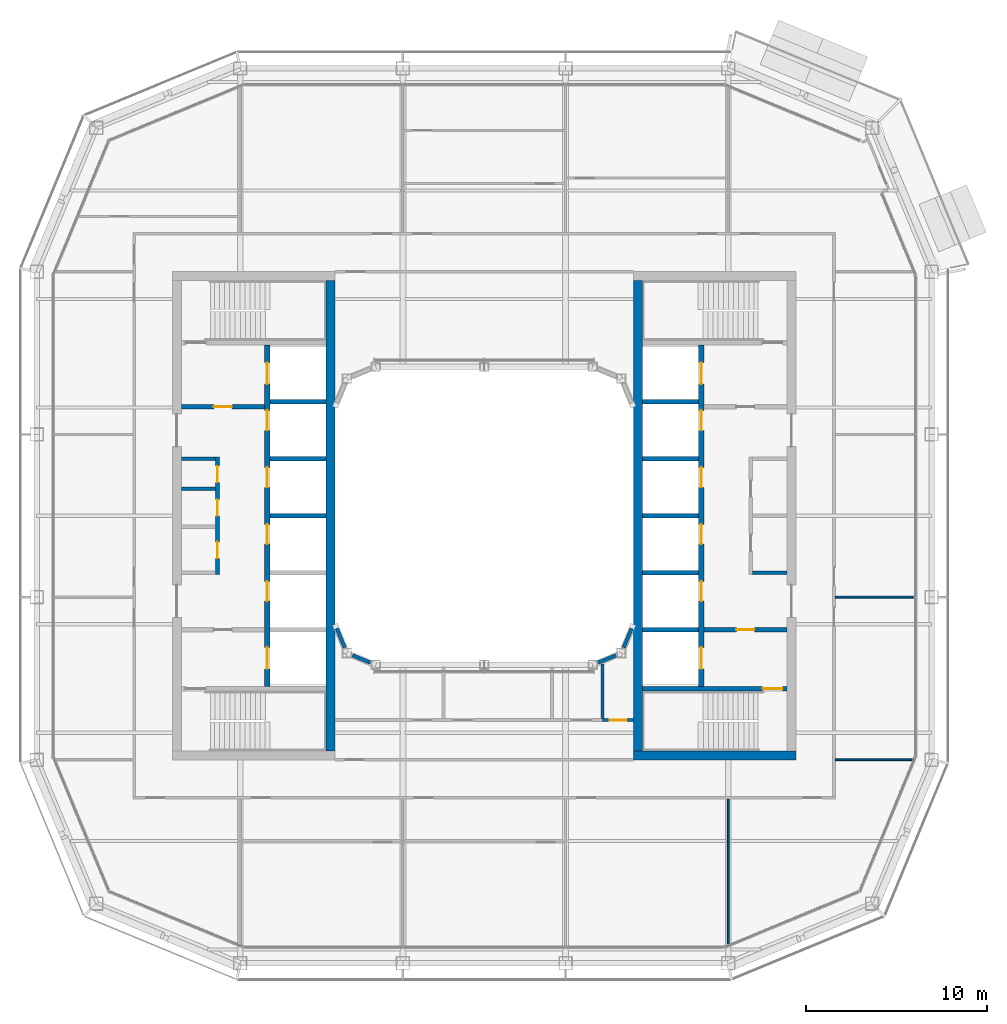
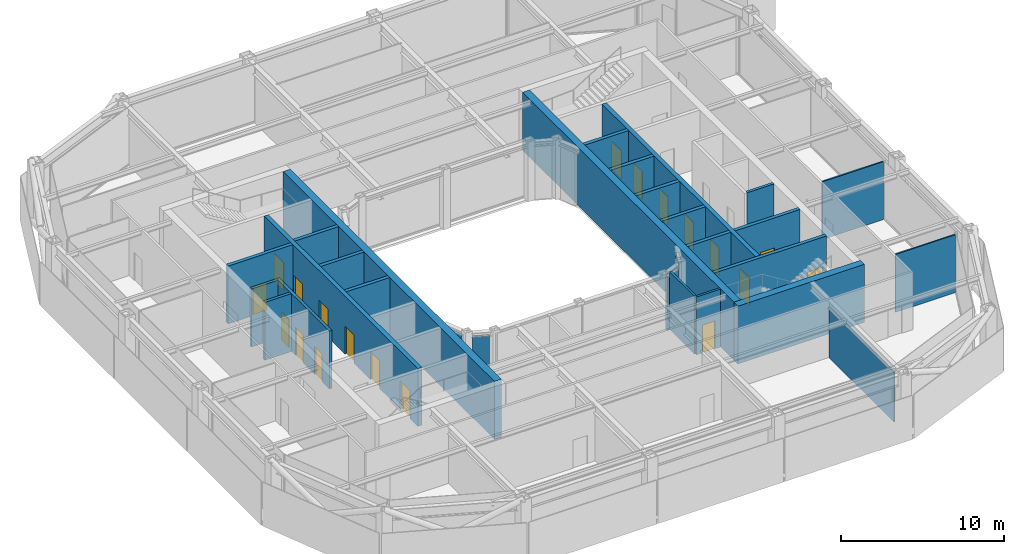
# One storey, part 11 of 20: 29 walls, 19 doors, 19 openings.
"""IFC4 building model written with IfcOpenShell, lengths in metres."""

from ifc_helpers import new_model, si_unit, direction, frame, frame_2d, origin, place, context, subcontext, project, spatial, rectangle, extrude, material, layer, layer_set, type_object, element, fill, save


model = new_model("IFC4")

# Units and contexts
model_context = context("Model", 3, precision=1e-05, world=origin(), true_north=direction((0.0, 1.0)))
body_context = subcontext(model_context, "Body", "Model", "MODEL_VIEW")
ifc_project = project(units=[si_unit("LENGTHUNIT", "METRE"), si_unit("AREAUNIT", "SQUARE_METRE"), si_unit("VOLUMEUNIT", "CUBIC_METRE"), si_unit("PLANEANGLEUNIT", "RADIAN"), si_unit("MASSUNIT", "GRAM", prefix="KILO")], contexts=[model_context])

# Site, building, storey
site_placement = place(None, origin())
site = spatial("IfcSite", under=ifc_project, at=site_placement, CompositionType="ELEMENT")
building_placement = place(site_placement, origin())
building = spatial("IfcBuilding", under=site, at=building_placement, Name="Siwar Civic Tower", CompositionType="ELEMENT")
storey_placement = place(building_placement, frame((0.0, 0.0, 307.699951171875)))
storey = spatial("IfcBuildingStorey", under=building, at=storey_placement, Name="L66", CompositionType="ELEMENT", Elevation=307.699951171875)

# Wall, opening, door
ifc_material_1 = material(Name="Gypsum board on steel studs", Category="steel")
ifc_layer_1 = layer(ifc_material_1, 0.14990234375)
ifc_layer_set_1 = layer_set([ifc_layer_1], Name="Gypsum board on steel studs")
wall_type_1 = type_object("IfcWallType", Name="COMPARTMENT PARTITION 150 EI 60", PredefinedType="PARTITIONING", material=ifc_layer_set_1)
wall_1_placement = place(storey_placement, frame((6.5400390625, -11.300048828125, 0.0), z_axis=(0.0, 0.0, 1.0), x_axis=(1.0, 0.0, 0.0)))
wall_1 = element("IfcWall", 1, at=wall_1_placement, inside=storey, type_object=wall_type_1, Name="L66/wall/P07", PredefinedType="PARTITIONING", context=body_context, shape_type="SweptSolid", body=[
    extrude(rectangle(XDim=1.7099609375, YDim=0.14990234375, at=frame_2d((0.85498046875, 0.0))), origin(), (0.0, 0.0, 1.0), 4.35009765625),
])
opening_1_placement = place(wall_1_placement, frame((0.409912109375, 0.0, 0.0)))
opening_1 = element("IfcOpeningElement", 2, at=opening_1_placement, cuts=wall_1, Name="Opening D4", PredefinedType="OPENING", context=body_context, shape_type="SweptSolid", body=[
    extrude(rectangle(XDim=0.89990234375, YDim=2.10009765625, at=frame_2d((0.449951171875, 1.050048828125))), frame((0.0, 0.0849609375, 0.0), z_axis=(0.0, -1.0, 0.0), x_axis=(1.0, 0.0, 0.0)), (0.0, 0.0, 1.0), 0.169921875),
])
ifc_material_2 = material(Name="Timber, painted", Category="wood")
door_type_1 = type_object("IfcDoorType", Name="DOOR 900 X 2100 FD60", OperationType="SINGLE_SWING_LEFT", PredefinedType="DOOR", material=ifc_material_2)
door_1_placement = place(opening_1_placement, origin())
door_1 = element("IfcDoor", 3, at=door_1_placement, inside=storey, type_object=door_type_1, Name="L66-D28", OperationType="SINGLE_SWING_RIGHT", OverallHeight=2.10009765625, OverallWidth=0.89990234375, PredefinedType="DOOR", context=body_context, shape_type="SweptSolid", body=[
    extrude(rectangle(XDim=0.89990234375, YDim=2.10009765625, at=frame_2d((0.449951171875, 1.050048828125))), frame((0.0, 0.02490234375, 0.0), z_axis=(0.0, -1.0, 0.0), x_axis=(1.0, 0.0, 0.0)), (0.0, 0.0, 1.0), 0.050048828125),
])
fill(opening_1, door_1)

# Wall
wall_2_placement = place(storey_placement, frame((6.5400390625, -11.22509765625, 0.0), z_axis=(0.0, 0.0, 1.0), x_axis=(0.0, 1.0, 0.0)))
element("IfcWall", 4, at=wall_2_placement, inside=storey, type_object=wall_type_1, Name="L66/wall/P30", PredefinedType="PARTITIONING", context=body_context, shape_type="SweptSolid", body=[
    extrude(rectangle(XDim=3.0390625, YDim=0.14990234375, at=frame_2d((1.51953125, 0.0))), origin(), (0.0, 0.0, 1.0), 4.35009765625),
])

# Wall, openings, doors
ifc_material_3 = material(Name="Gypsum board on steel studs", Category="steel")
ifc_layer_2 = layer(ifc_material_3, 0.199951171875)
ifc_layer_set_2 = layer_set([ifc_layer_2], Name="Gypsum board on steel studs")
wall_type_2 = type_object("IfcWallType", Name="CORE-PARTITION-200", PredefinedType="PARTITIONING", material=ifc_layer_set_2)
wall_3_placement = place(storey_placement, frame((-14.75, -3.25, 0.0), z_axis=(0.0, 0.0, 1.0), x_axis=(0.0, 1.0, 0.0)))
wall_3 = element("IfcWall", 5, at=wall_3_placement, inside=storey, type_object=wall_type_2, Name="Core partition W", PredefinedType="PARTITIONING", context=body_context, shape_type="SweptSolid", body=[
    extrude(rectangle(XDim=6.5, YDim=0.199951171875, at=frame_2d((3.25, 0.0))), origin(), (0.0, 0.0, 1.0), 4.35009765625),
])
opening_2_placement = place(wall_3_placement, frame((0.89990234375, 0.0, 0.0)))
opening_2 = element("IfcOpeningElement", 6, at=opening_2_placement, cuts=wall_3, Name="Opening L66-CW13", PredefinedType="OPENING", context=body_context, shape_type="SweptSolid", body=[
    extrude(rectangle(XDim=0.89990234375, YDim=2.10009765625, at=frame_2d((0.449951171875, 1.050048828125))), frame((0.0, 0.10986328125, 0.0), z_axis=(0.0, -1.0, 0.0), x_axis=(1.0, 0.0, 0.0)), (0.0, 0.0, 1.0), 0.219970703125),
])
opening_3_placement = place(wall_3_placement, frame((3.25, 0.0, 0.0)))
opening_3 = element("IfcOpeningElement", 7, at=opening_3_placement, cuts=wall_3, Name="Opening L66-CW14", PredefinedType="OPENING", context=body_context, shape_type="SweptSolid", body=[
    extrude(rectangle(XDim=0.89990234375, YDim=2.10009765625, at=frame_2d((0.449951171875, 1.050048828125))), frame((0.0, 0.10986328125, 0.0), z_axis=(0.0, -1.0, 0.0), x_axis=(1.0, 0.0, 0.0)), (0.0, 0.0, 1.0), 0.219970703125),
])
opening_4_placement = place(wall_3_placement, frame((5.10009765625, 0.0, 0.0)))
opening_4 = element("IfcOpeningElement", 8, at=opening_4_placement, cuts=wall_3, Name="Opening L66-CW15", PredefinedType="OPENING", context=body_context, shape_type="SweptSolid", body=[
    extrude(rectangle(XDim=0.89990234375, YDim=2.10009765625, at=frame_2d((0.449951171875, 1.050048828125))), frame((0.0, 0.10986328125, 0.0), z_axis=(0.0, -1.0, 0.0), x_axis=(1.0, 0.0, 0.0)), (0.0, 0.0, 1.0), 0.219970703125),
])
ifc_material_4 = material(Name="Steel door leaf", Category="steel")
door_type_2 = type_object("IfcDoorType", Name="CORE-DOOR-ROOM", OperationType="SINGLE_SWING_LEFT", PredefinedType="DOOR", material=ifc_material_4)
door_2_placement = place(opening_2_placement, origin())
door_2 = element("IfcDoor", 9, at=door_2_placement, inside=storey, type_object=door_type_2, Name="Core room door L66-CW13", OperationType="SINGLE_SWING_RIGHT", OverallHeight=2.10009765625, OverallWidth=0.89990234375, PredefinedType="DOOR", context=body_context, shape_type="SweptSolid", body=[
    extrude(rectangle(XDim=0.89990234375, YDim=2.10009765625, at=frame_2d((0.449951171875, 1.050048828125))), frame((0.0, 0.02490234375, 0.0), z_axis=(0.0, -1.0, 0.0), x_axis=(1.0, 0.0, 0.0)), (0.0, 0.0, 1.0), 0.050048828125),
])
fill(opening_2, door_2)
door_3_placement = place(opening_3_placement, origin())
door_3 = element("IfcDoor", 10, at=door_3_placement, inside=storey, type_object=door_type_2, Name="Core room door L66-CW14", OperationType="SINGLE_SWING_RIGHT", OverallHeight=2.10009765625, OverallWidth=0.89990234375, PredefinedType="DOOR", context=body_context, shape_type="SweptSolid", body=[
    extrude(rectangle(XDim=0.89990234375, YDim=2.10009765625, at=frame_2d((0.449951171875, 1.050048828125))), frame((0.0, 0.02490234375, 0.0), z_axis=(0.0, -1.0, 0.0), x_axis=(1.0, 0.0, 0.0)), (0.0, 0.0, 1.0), 0.050048828125),
])
fill(opening_3, door_3)
door_4_placement = place(opening_4_placement, origin())
door_4 = element("IfcDoor", 11, at=door_4_placement, inside=storey, type_object=door_type_2, Name="Core room door L66-CW15", OperationType="SINGLE_SWING_RIGHT", OverallHeight=2.10009765625, OverallWidth=0.89990234375, PredefinedType="DOOR", context=body_context, shape_type="SweptSolid", body=[
    extrude(rectangle(XDim=0.89990234375, YDim=2.10009765625, at=frame_2d((0.449951171875, 1.050048828125))), frame((0.0, 0.02490234375, 0.0), z_axis=(0.0, -1.0, 0.0), x_axis=(1.0, 0.0, 0.0)), (0.0, 0.0, 1.0), 0.050048828125),
])
fill(opening_4, door_4)

# Walls
for number, where, z_axis, x_axis, name in (
    (12, (-14.85009765625, 3.14990234375, 0.0), (0.0, 0.0, 1.0), (-1.0, 0.0, 0.0), "Core partition W"),
    (13, (-14.85009765625, 1.5, 0.0), (0.0, 0.0, 1.0), (-1.0, 0.0, 0.0), "Core partition W"),
    (14, (14.85009765625, -3.14990234375, 0.0), (0.0, 0.0, 1.0), (1.0, 0.0, 0.0), "Core partition E"),
):
    element("IfcWall", number, at=place(storey_placement, frame(where, z_axis=z_axis, x_axis=x_axis)), inside=storey, type_object=wall_type_2, Name=name, PredefinedType="PARTITIONING", context=body_context, shape_type="SweptSolid", body=[
        extrude(rectangle(XDim=1.89990234375, YDim=0.199951171875, at=frame_2d((0.949951171875, 0.0))), origin(), (0.0, 0.0, 1.0), 4.35009765625),
    ])

# Wall, opening, door
ifc_material_5 = material(Name="Concrete C60/75", Category="concrete")
ifc_layer_3 = layer(ifc_material_5, 0.25)
ifc_layer_set_3 = layer_set([ifc_layer_3], Name="Concrete C60/75")
wall_type_3 = type_object("IfcWallType", Name="CORE-WALL-RC250", PredefinedType="SHEAR", material=ifc_layer_set_3)
wall_4_placement = place(storey_placement, frame((-12.14990234375, 6.02490234375, 0.0), z_axis=(0.0, 0.0, 1.0), x_axis=(-1.0, 0.0, 0.0)))
wall_4 = element("IfcWall", 15, at=wall_4_placement, inside=storey, type_object=wall_type_3, Name="Core wall W", PredefinedType="SHEAR", context=body_context, shape_type="SweptSolid", body=[
    extrude(rectangle(XDim=4.60009765625, YDim=0.25, at=frame_2d((2.300048828125, 0.0))), origin(), (0.0, 0.0, 1.0), 4.35009765625),
])
opening_5_placement = place(wall_4_placement, frame((1.800048828125, 0.0, 0.0)))
opening_5 = element("IfcOpeningElement", 16, at=opening_5_placement, cuts=wall_4, Name="Opening L66-CW01", PredefinedType="OPENING", context=body_context, shape_type="SweptSolid", body=[
    extrude(rectangle(XDim=1.0, YDim=2.10009765625, at=frame_2d((0.5, 1.050048828125))), frame((0.0, 0.135009765625, 0.0), z_axis=(0.0, -1.0, 0.0), x_axis=(1.0, 0.0, 0.0)), (0.0, 0.0, 1.0), 0.27001953125),
])
ifc_material_6 = material(Name="Steel door leaf", Category="steel")
door_type_3 = type_object("IfcDoorType", Name="CORE-DOOR-FD30S", OperationType="SINGLE_SWING_LEFT", PredefinedType="DOOR", material=ifc_material_6)
door_5_placement = place(opening_5_placement, origin())
door_5 = element("IfcDoor", 17, at=door_5_placement, inside=storey, type_object=door_type_3, Name="Firefighting lobby door L66-CW01", OperationType="SINGLE_SWING_LEFT", OverallHeight=2.10009765625, OverallWidth=1.0, PredefinedType="DOOR", context=body_context, shape_type="SweptSolid", body=[
    extrude(rectangle(XDim=1.0, YDim=2.10009765625, at=frame_2d((0.5, 1.050048828125))), frame((0.0, 0.02490234375, 0.0), z_axis=(0.0, -1.0, 0.0), x_axis=(1.0, 0.0, 0.0)), (0.0, 0.0, 1.0), 0.050048828125),
])
fill(opening_5, door_5)

# Walls
for number, where, z_axis, x_axis, name in (
    (18, (-8.75, 0.0, 0.0), (0.0, 0.0, 1.0), (-1.0, 0.0, 0.0), "Core wall W"),
    (19, (-8.75, 3.14990234375, 0.0), (0.0, 0.0, 1.0), (-1.0, 0.0, 0.0), "Core wall W"),
    (20, (-8.75, 6.300048828125, 0.0), (0.0, 0.0, 1.0), (-1.0, 0.0, 0.0), "Core wall W"),
):
    element("IfcWall", number, at=place(storey_placement, frame(where, z_axis=z_axis, x_axis=x_axis)), inside=storey, type_object=wall_type_3, Name=name, PredefinedType="SHEAR", context=body_context, shape_type="SweptSolid", body=[
        extrude(rectangle(XDim=3.10009765625, YDim=0.25, at=frame_2d((1.550048828125, 0.0))), origin(), (0.0, 0.0, 1.0), 4.35009765625),
    ])

# Wall, opening, door
wall_5_placement = place(storey_placement, frame((12.14990234375, -6.300048828125, 0.0), z_axis=(0.0, 0.0, 1.0), x_axis=(1.0, 0.0, 0.0)))
wall_5 = element("IfcWall", 21, at=wall_5_placement, inside=storey, type_object=wall_type_3, Name="Core wall E", PredefinedType="SHEAR", context=body_context, shape_type="SweptSolid", body=[
    extrude(rectangle(XDim=4.60009765625, YDim=0.25, at=frame_2d((2.300048828125, 0.0))), origin(), (0.0, 0.0, 1.0), 4.35009765625),
])
opening_6_placement = place(wall_5_placement, frame((1.800048828125, 0.0, 0.0)))
opening_6 = element("IfcOpeningElement", 22, at=opening_6_placement, cuts=wall_5, Name="Opening L66-CE02", PredefinedType="OPENING", context=body_context, shape_type="SweptSolid", body=[
    extrude(rectangle(XDim=1.0, YDim=2.10009765625, at=frame_2d((0.5, 1.050048828125))), frame((0.0, 0.135009765625, 0.0), z_axis=(0.0, -1.0, 0.0), x_axis=(1.0, 0.0, 0.0)), (0.0, 0.0, 1.0), 0.27001953125),
])
door_6_placement = place(opening_6_placement, origin())
door_6 = element("IfcDoor", 23, at=door_6_placement, inside=storey, type_object=door_type_3, Name="Service lobby door L66-CE02", OperationType="SINGLE_SWING_LEFT", OverallHeight=2.10009765625, OverallWidth=1.0, PredefinedType="DOOR", context=body_context, shape_type="SweptSolid", body=[
    extrude(rectangle(XDim=1.0, YDim=2.10009765625, at=frame_2d((0.5, 1.050048828125))), frame((0.0, 0.02490234375, 0.0), z_axis=(0.0, -1.0, 0.0), x_axis=(1.0, 0.0, 0.0)), (0.0, 0.0, 1.0), 0.050048828125),
])
fill(opening_6, door_6)

# Walls
for number, where, z_axis, x_axis, name in (
    (24, (8.75, 0.0, 0.0), (0.0, 0.0, 1.0), (1.0, 0.0, 0.0), "Core wall E"),
    (25, (8.75, 3.14990234375, 0.0), (0.0, 0.0, 1.0), (1.0, 0.0, 0.0), "Core wall E"),
    (26, (8.75, 6.300048828125, 0.0), (0.0, 0.0, 1.0), (1.0, 0.0, 0.0), "Core wall E"),
    (27, (8.75, -3.14990234375, 0.0), (0.0, 0.0, 1.0), (1.0, 0.0, 0.0), "Core wall E"),
    (28, (8.75, -6.300048828125, 0.0), (0.0, 0.0, 1.0), (1.0, 0.0, 0.0), "Core wall E"),
):
    element("IfcWall", number, at=place(storey_placement, frame(where, z_axis=z_axis, x_axis=x_axis)), inside=storey, type_object=wall_type_3, Name=name, PredefinedType="SHEAR", context=body_context, shape_type="SweptSolid", body=[
        extrude(rectangle(XDim=3.10009765625, YDim=0.25, at=frame_2d((1.550048828125, 0.0))), origin(), (0.0, 0.0, 1.0), 4.35009765625),
    ])

# Wall, opening, door
wall_6_placement = place(storey_placement, frame((8.75, -9.574951171875, 0.0), z_axis=(0.0, 0.0, 1.0), x_axis=(1.0, 0.0, 0.0)))
wall_6 = element("IfcWall", 29, at=wall_6_placement, inside=storey, type_object=wall_type_3, Name="Core wall E", PredefinedType="SHEAR", context=body_context, shape_type="SweptSolid", body=[
    extrude(rectangle(XDim=8.0, YDim=0.25, at=frame_2d((4.0, 0.0))), origin(), (0.0, 0.0, 1.0), 4.35009765625),
])
opening_7_placement = place(wall_6_placement, frame((6.64990234375, 0.0, 0.0)))
opening_7 = element("IfcOpeningElement", 30, at=opening_7_placement, cuts=wall_6, Name="Opening L66-CE04", PredefinedType="OPENING", context=body_context, shape_type="SweptSolid", body=[
    extrude(rectangle(XDim=1.10009765625, YDim=2.10009765625, at=frame_2d((0.550048828125, 1.050048828125))), frame((0.0, 0.135009765625, 0.0), z_axis=(0.0, -1.0, 0.0), x_axis=(1.0, 0.0, 0.0)), (0.0, 0.0, 1.0), 0.27001953125),
])
ifc_material_7 = material(Name="Steel door leaf", Category="steel")
door_type_4 = type_object("IfcDoorType", Name="CORE-DOOR-FD60S", OperationType="SINGLE_SWING_LEFT", PredefinedType="DOOR", material=ifc_material_7)
door_7_placement = place(opening_7_placement, origin())
door_7 = element("IfcDoor", 31, at=door_7_placement, inside=storey, type_object=door_type_4, Name="Stair door L66-CE04", OperationType="SINGLE_SWING_RIGHT", OverallHeight=2.10009765625, OverallWidth=1.10009765625, PredefinedType="DOOR", context=body_context, shape_type="SweptSolid", body=[
    extrude(rectangle(XDim=1.10009765625, YDim=2.10009765625, at=frame_2d((0.550048828125, 1.050048828125))), frame((0.0, 0.02490234375, 0.0), z_axis=(0.0, -1.0, 0.0), x_axis=(1.0, 0.0, 0.0)), (0.0, 0.0, 1.0), 0.050048828125),
])
fill(opening_7, door_7)

# Wall, openings, doors
ifc_material_8 = material(Name="Concrete C60/75", Category="concrete")
ifc_layer_4 = layer(ifc_material_8, 0.300048828125)
ifc_layer_set_4 = layer_set([ifc_layer_4], Name="Concrete C60/75")
wall_type_4 = type_object("IfcWallType", Name="CORE-WALL-RC300", PredefinedType="SHEAR", material=ifc_layer_set_4)
wall_7_placement = place(storey_placement, frame((-12.0, -9.449951171875, 0.0), z_axis=(0.0, 0.0, 1.0), x_axis=(0.0, 1.0, 0.0)))
wall_7 = element("IfcWall", 32, at=wall_7_placement, inside=storey, type_object=wall_type_4, Name="Core wall W", PredefinedType="SHEAR", context=body_context, shape_type="SweptSolid", body=[
    extrude(rectangle(XDim=18.89990234375, YDim=0.300048828125, at=frame_2d((9.449951171875, 0.0))), origin(), (0.0, 0.0, 1.0), 4.35009765625),
])
opening_8_placement = place(wall_7_placement, frame((4.72509765625, 0.0, 0.0)))
opening_8 = element("IfcOpeningElement", 33, at=opening_8_placement, cuts=wall_7, Name="Opening L66-CW07", PredefinedType="OPENING", context=body_context, shape_type="SweptSolid", body=[
    extrude(rectangle(XDim=1.10009765625, YDim=2.10009765625, at=frame_2d((0.550048828125, 1.050048828125))), frame((0.0, 0.16015625, 0.0), z_axis=(0.0, -1.0, 0.0), x_axis=(1.0, 0.0, 0.0)), (0.0, 0.0, 1.0), 0.320068359375),
])
opening_9_placement = place(wall_7_placement, frame((7.875, 0.0, 0.0)))
opening_9 = element("IfcOpeningElement", 34, at=opening_9_placement, cuts=wall_7, Name="Opening L66-CW08", PredefinedType="OPENING", context=body_context, shape_type="SweptSolid", body=[
    extrude(rectangle(XDim=1.10009765625, YDim=2.10009765625, at=frame_2d((0.550048828125, 1.050048828125))), frame((0.0, 0.16015625, 0.0), z_axis=(0.0, -1.0, 0.0), x_axis=(1.0, 0.0, 0.0)), (0.0, 0.0, 1.0), 0.320068359375),
])
opening_10_placement = place(wall_7_placement, frame((11.02490234375, 0.0, 0.0)))
opening_10 = element("IfcOpeningElement", 35, at=opening_10_placement, cuts=wall_7, Name="Opening L66-CW09", PredefinedType="OPENING", context=body_context, shape_type="SweptSolid", body=[
    extrude(rectangle(XDim=1.10009765625, YDim=2.10009765625, at=frame_2d((0.550048828125, 1.050048828125))), frame((0.0, 0.16015625, 0.0), z_axis=(0.0, -1.0, 0.0), x_axis=(1.0, 0.0, 0.0)), (0.0, 0.0, 1.0), 0.320068359375),
])
opening_11_placement = place(wall_7_placement, frame((14.175048828125, 0.0, 0.0)))
opening_11 = element("IfcOpeningElement", 36, at=opening_11_placement, cuts=wall_7, Name="Opening L66-CW10", PredefinedType="OPENING", context=body_context, shape_type="SweptSolid", body=[
    extrude(rectangle(XDim=1.10009765625, YDim=2.10009765625, at=frame_2d((0.550048828125, 1.050048828125))), frame((0.0, 0.16015625, 0.0), z_axis=(0.0, -1.0, 0.0), x_axis=(1.0, 0.0, 0.0)), (0.0, 0.0, 1.0), 0.320068359375),
])
opening_12_placement = place(wall_7_placement, frame((16.72509765625, 0.0, 0.0)))
opening_12 = element("IfcOpeningElement", 37, at=opening_12_placement, cuts=wall_7, Name="Opening L66-CW11", PredefinedType="OPENING", context=body_context, shape_type="SweptSolid", body=[
    extrude(rectangle(XDim=1.199951171875, YDim=2.10009765625, at=frame_2d((0.60009765625, 1.050048828125))), frame((0.0, 0.16015625, 0.0), z_axis=(0.0, -1.0, 0.0), x_axis=(1.0, 0.0, 0.0)), (0.0, 0.0, 1.0), 0.320068359375),
])
opening_13_placement = place(wall_7_placement, frame((0.97509765625, 0.0, 0.0)))
opening_13 = element("IfcOpeningElement", 38, at=opening_13_placement, cuts=wall_7, Name="Opening L66-CW12", PredefinedType="OPENING", context=body_context, shape_type="SweptSolid", body=[
    extrude(rectangle(XDim=1.199951171875, YDim=2.10009765625, at=frame_2d((0.60009765625, 1.050048828125))), frame((0.0, 0.16015625, 0.0), z_axis=(0.0, -1.0, 0.0), x_axis=(1.0, 0.0, 0.0)), (0.0, 0.0, 1.0), 0.320068359375),
])
ifc_material_9 = material(Name="Steel door leaf", Category="steel")
door_type_5 = type_object("IfcDoorType", Name="CORE-DOOR-LD", OperationType="DOUBLE_DOOR_SLIDING", PredefinedType="DOOR", material=ifc_material_9)
door_8_placement = place(opening_8_placement, origin())
door_8 = element("IfcDoor", 39, at=door_8_placement, inside=storey, type_object=door_type_5, Name="Landing door HR1 L66-CW07", OperationType="DOUBLE_DOOR_SLIDING", OverallHeight=2.10009765625, OverallWidth=1.10009765625, PredefinedType="DOOR", context=body_context, shape_type="SweptSolid", body=[
    extrude(rectangle(XDim=1.10009765625, YDim=2.10009765625, at=frame_2d((0.550048828125, 1.050048828125))), frame((0.0, 0.02490234375, 0.0), z_axis=(0.0, -1.0, 0.0), x_axis=(1.0, 0.0, 0.0)), (0.0, 0.0, 1.0), 0.050048828125),
])
fill(opening_8, door_8)
door_9_placement = place(opening_9_placement, origin())
door_9 = element("IfcDoor", 40, at=door_9_placement, inside=storey, type_object=door_type_5, Name="Landing door HR2 L66-CW08", OperationType="DOUBLE_DOOR_SLIDING", OverallHeight=2.10009765625, OverallWidth=1.10009765625, PredefinedType="DOOR", context=body_context, shape_type="SweptSolid", body=[
    extrude(rectangle(XDim=1.10009765625, YDim=2.10009765625, at=frame_2d((0.550048828125, 1.050048828125))), frame((0.0, 0.02490234375, 0.0), z_axis=(0.0, -1.0, 0.0), x_axis=(1.0, 0.0, 0.0)), (0.0, 0.0, 1.0), 0.050048828125),
])
fill(opening_9, door_9)
door_10_placement = place(opening_10_placement, origin())
door_10 = element("IfcDoor", 41, at=door_10_placement, inside=storey, type_object=door_type_5, Name="Landing door HR3 L66-CW09", OperationType="DOUBLE_DOOR_SLIDING", OverallHeight=2.10009765625, OverallWidth=1.10009765625, PredefinedType="DOOR", context=body_context, shape_type="SweptSolid", body=[
    extrude(rectangle(XDim=1.10009765625, YDim=2.10009765625, at=frame_2d((0.550048828125, 1.050048828125))), frame((0.0, 0.02490234375, 0.0), z_axis=(0.0, -1.0, 0.0), x_axis=(1.0, 0.0, 0.0)), (0.0, 0.0, 1.0), 0.050048828125),
])
fill(opening_10, door_10)
door_11_placement = place(opening_11_placement, origin())
door_11 = element("IfcDoor", 42, at=door_11_placement, inside=storey, type_object=door_type_5, Name="Landing door HR4 L66-CW10", OperationType="DOUBLE_DOOR_SLIDING", OverallHeight=2.10009765625, OverallWidth=1.10009765625, PredefinedType="DOOR", context=body_context, shape_type="SweptSolid", body=[
    extrude(rectangle(XDim=1.10009765625, YDim=2.10009765625, at=frame_2d((0.550048828125, 1.050048828125))), frame((0.0, 0.02490234375, 0.0), z_axis=(0.0, -1.0, 0.0), x_axis=(1.0, 0.0, 0.0)), (0.0, 0.0, 1.0), 0.050048828125),
])
fill(opening_11, door_11)
ifc_material_10 = material(Name="Steel door leaf", Category="steel")
door_type_6 = type_object("IfcDoorType", Name="CORE-DOOR-LDW", OperationType="DOUBLE_DOOR_SLIDING", PredefinedType="DOOR", material=ifc_material_10)
door_12_placement = place(opening_12_placement, origin())
door_12 = element("IfcDoor", 43, at=door_12_placement, inside=storey, type_object=door_type_6, Name="Landing door FF1 L66-CW11", OperationType="DOUBLE_DOOR_SLIDING", OverallHeight=2.10009765625, OverallWidth=1.199951171875, PredefinedType="DOOR", context=body_context, shape_type="SweptSolid", body=[
    extrude(rectangle(XDim=1.199951171875, YDim=2.10009765625, at=frame_2d((0.60009765625, 1.050048828125))), frame((0.0, 0.02490234375, 0.0), z_axis=(0.0, -1.0, 0.0), x_axis=(1.0, 0.0, 0.0)), (0.0, 0.0, 1.0), 0.050048828125),
])
fill(opening_12, door_12)
door_13_placement = place(opening_13_placement, origin())
door_13 = element("IfcDoor", 44, at=door_13_placement, inside=storey, type_object=door_type_6, Name="Landing door SV1 L66-CW12", OperationType="DOUBLE_DOOR_SLIDING", OverallHeight=2.10009765625, OverallWidth=1.199951171875, PredefinedType="DOOR", context=body_context, shape_type="SweptSolid", body=[
    extrude(rectangle(XDim=1.199951171875, YDim=2.10009765625, at=frame_2d((0.60009765625, 1.050048828125))), frame((0.0, 0.02490234375, 0.0), z_axis=(0.0, -1.0, 0.0), x_axis=(1.0, 0.0, 0.0)), (0.0, 0.0, 1.0), 0.050048828125),
])
fill(opening_13, door_13)

wall_8_placement = place(storey_placement, frame((12.0, -9.449951171875, 0.0), z_axis=(0.0, 0.0, 1.0), x_axis=(0.0, 1.0, 0.0)))
wall_8 = element("IfcWall", 45, at=wall_8_placement, inside=storey, type_object=wall_type_4, Name="Core wall E", PredefinedType="SHEAR", context=body_context, shape_type="SweptSolid", body=[
    extrude(rectangle(XDim=18.89990234375, YDim=0.300048828125, at=frame_2d((9.449951171875, 0.0))), origin(), (0.0, 0.0, 1.0), 4.35009765625),
])
opening_14_placement = place(wall_8_placement, frame((4.72509765625, 0.0, 0.0)))
opening_14 = element("IfcOpeningElement", 46, at=opening_14_placement, cuts=wall_8, Name="Opening L66-CE07", PredefinedType="OPENING", context=body_context, shape_type="SweptSolid", body=[
    extrude(rectangle(XDim=1.10009765625, YDim=2.10009765625, at=frame_2d((0.550048828125, 1.050048828125))), frame((0.0, 0.16015625, 0.0), z_axis=(0.0, -1.0, 0.0), x_axis=(1.0, 0.0, 0.0)), (0.0, 0.0, 1.0), 0.320068359375),
])
opening_15_placement = place(wall_8_placement, frame((7.875, 0.0, 0.0)))
opening_15 = element("IfcOpeningElement", 47, at=opening_15_placement, cuts=wall_8, Name="Opening L66-CE08", PredefinedType="OPENING", context=body_context, shape_type="SweptSolid", body=[
    extrude(rectangle(XDim=1.10009765625, YDim=2.10009765625, at=frame_2d((0.550048828125, 1.050048828125))), frame((0.0, 0.16015625, 0.0), z_axis=(0.0, -1.0, 0.0), x_axis=(1.0, 0.0, 0.0)), (0.0, 0.0, 1.0), 0.320068359375),
])
opening_16_placement = place(wall_8_placement, frame((11.02490234375, 0.0, 0.0)))
opening_16 = element("IfcOpeningElement", 48, at=opening_16_placement, cuts=wall_8, Name="Opening L66-CE09", PredefinedType="OPENING", context=body_context, shape_type="SweptSolid", body=[
    extrude(rectangle(XDim=1.10009765625, YDim=2.10009765625, at=frame_2d((0.550048828125, 1.050048828125))), frame((0.0, 0.16015625, 0.0), z_axis=(0.0, -1.0, 0.0), x_axis=(1.0, 0.0, 0.0)), (0.0, 0.0, 1.0), 0.320068359375),
])
opening_17_placement = place(wall_8_placement, frame((14.175048828125, 0.0, 0.0)))
opening_17 = element("IfcOpeningElement", 49, at=opening_17_placement, cuts=wall_8, Name="Opening L66-CE10", PredefinedType="OPENING", context=body_context, shape_type="SweptSolid", body=[
    extrude(rectangle(XDim=1.10009765625, YDim=2.10009765625, at=frame_2d((0.550048828125, 1.050048828125))), frame((0.0, 0.16015625, 0.0), z_axis=(0.0, -1.0, 0.0), x_axis=(1.0, 0.0, 0.0)), (0.0, 0.0, 1.0), 0.320068359375),
])
opening_18_placement = place(wall_8_placement, frame((16.72509765625, 0.0, 0.0)))
opening_18 = element("IfcOpeningElement", 50, at=opening_18_placement, cuts=wall_8, Name="Opening L66-CE11", PredefinedType="OPENING", context=body_context, shape_type="SweptSolid", body=[
    extrude(rectangle(XDim=1.199951171875, YDim=2.10009765625, at=frame_2d((0.60009765625, 1.050048828125))), frame((0.0, 0.16015625, 0.0), z_axis=(0.0, -1.0, 0.0), x_axis=(1.0, 0.0, 0.0)), (0.0, 0.0, 1.0), 0.320068359375),
])
opening_19_placement = place(wall_8_placement, frame((0.97509765625, 0.0, 0.0)))
opening_19 = element("IfcOpeningElement", 51, at=opening_19_placement, cuts=wall_8, Name="Opening L66-CE12", PredefinedType="OPENING", context=body_context, shape_type="SweptSolid", body=[
    extrude(rectangle(XDim=1.199951171875, YDim=2.10009765625, at=frame_2d((0.60009765625, 1.050048828125))), frame((0.0, 0.16015625, 0.0), z_axis=(0.0, -1.0, 0.0), x_axis=(1.0, 0.0, 0.0)), (0.0, 0.0, 1.0), 0.320068359375),
])
door_14_placement = place(opening_14_placement, origin())
door_14 = element("IfcDoor", 52, at=door_14_placement, inside=storey, type_object=door_type_5, Name="Landing door HR5 L66-CE07", OperationType="DOUBLE_DOOR_SLIDING", OverallHeight=2.10009765625, OverallWidth=1.10009765625, PredefinedType="DOOR", context=body_context, shape_type="SweptSolid", body=[
    extrude(rectangle(XDim=1.10009765625, YDim=2.10009765625, at=frame_2d((0.550048828125, 1.050048828125))), frame((0.0, 0.02490234375, 0.0), z_axis=(0.0, -1.0, 0.0), x_axis=(1.0, 0.0, 0.0)), (0.0, 0.0, 1.0), 0.050048828125),
])
fill(opening_14, door_14)
door_15_placement = place(opening_15_placement, origin())
door_15 = element("IfcDoor", 53, at=door_15_placement, inside=storey, type_object=door_type_5, Name="Landing door HR6 L66-CE08", OperationType="DOUBLE_DOOR_SLIDING", OverallHeight=2.10009765625, OverallWidth=1.10009765625, PredefinedType="DOOR", context=body_context, shape_type="SweptSolid", body=[
    extrude(rectangle(XDim=1.10009765625, YDim=2.10009765625, at=frame_2d((0.550048828125, 1.050048828125))), frame((0.0, 0.02490234375, 0.0), z_axis=(0.0, -1.0, 0.0), x_axis=(1.0, 0.0, 0.0)), (0.0, 0.0, 1.0), 0.050048828125),
])
fill(opening_15, door_15)
door_16_placement = place(opening_16_placement, origin())
door_16 = element("IfcDoor", 54, at=door_16_placement, inside=storey, type_object=door_type_5, Name="Landing door HR7 L66-CE09", OperationType="DOUBLE_DOOR_SLIDING", OverallHeight=2.10009765625, OverallWidth=1.10009765625, PredefinedType="DOOR", context=body_context, shape_type="SweptSolid", body=[
    extrude(rectangle(XDim=1.10009765625, YDim=2.10009765625, at=frame_2d((0.550048828125, 1.050048828125))), frame((0.0, 0.02490234375, 0.0), z_axis=(0.0, -1.0, 0.0), x_axis=(1.0, 0.0, 0.0)), (0.0, 0.0, 1.0), 0.050048828125),
])
fill(opening_16, door_16)
door_17_placement = place(opening_17_placement, origin())
door_17 = element("IfcDoor", 55, at=door_17_placement, inside=storey, type_object=door_type_5, Name="Landing door HR8 L66-CE10", OperationType="DOUBLE_DOOR_SLIDING", OverallHeight=2.10009765625, OverallWidth=1.10009765625, PredefinedType="DOOR", context=body_context, shape_type="SweptSolid", body=[
    extrude(rectangle(XDim=1.10009765625, YDim=2.10009765625, at=frame_2d((0.550048828125, 1.050048828125))), frame((0.0, 0.02490234375, 0.0), z_axis=(0.0, -1.0, 0.0), x_axis=(1.0, 0.0, 0.0)), (0.0, 0.0, 1.0), 0.050048828125),
])
fill(opening_17, door_17)
door_18_placement = place(opening_18_placement, origin())
door_18 = element("IfcDoor", 56, at=door_18_placement, inside=storey, type_object=door_type_6, Name="Landing door FF2 L66-CE11", OperationType="DOUBLE_DOOR_SLIDING", OverallHeight=2.10009765625, OverallWidth=1.199951171875, PredefinedType="DOOR", context=body_context, shape_type="SweptSolid", body=[
    extrude(rectangle(XDim=1.199951171875, YDim=2.10009765625, at=frame_2d((0.60009765625, 1.050048828125))), frame((0.0, 0.02490234375, 0.0), z_axis=(0.0, -1.0, 0.0), x_axis=(1.0, 0.0, 0.0)), (0.0, 0.0, 1.0), 0.050048828125),
])
fill(opening_18, door_18)
door_19_placement = place(opening_19_placement, origin())
door_19 = element("IfcDoor", 57, at=door_19_placement, inside=storey, type_object=door_type_6, Name="Landing door SV2 L66-CE12", OperationType="DOUBLE_DOOR_SLIDING", OverallHeight=2.10009765625, OverallWidth=1.199951171875, PredefinedType="DOOR", context=body_context, shape_type="SweptSolid", body=[
    extrude(rectangle(XDim=1.199951171875, YDim=2.10009765625, at=frame_2d((0.60009765625, 1.050048828125))), frame((0.0, 0.02490234375, 0.0), z_axis=(0.0, -1.0, 0.0), x_axis=(1.0, 0.0, 0.0)), (0.0, 0.0, 1.0), 0.050048828125),
])
fill(opening_19, door_19)

# Walls
ifc_material_11 = material(Name="Concrete C60/75", Category="concrete")
ifc_layer_5 = layer(ifc_material_11, 0.5)
ifc_layer_set_5 = layer_set([ifc_layer_5], Name="Concrete C60/75")
wall_type_5 = type_object("IfcWallType", Name="CORE-WALL-RC500", PredefinedType="SHEAR", material=ifc_layer_set_5)
wall_9_placement = place(storey_placement, frame((8.25, -13.25, 0.0), z_axis=(0.0, 0.0, 1.0), x_axis=(1.0, 0.0, 0.0)))
element("IfcWall", 58, at=wall_9_placement, inside=storey, type_object=wall_type_5, Name="Core wall E", PredefinedType="SHEAR", context=body_context, shape_type="SweptSolid", body=[
    extrude(rectangle(XDim=9.0, YDim=0.5, at=frame_2d((4.5, 0.0))), origin(), (0.0, 0.0, 1.0), 4.35009765625),
])
ifc_material_12 = material(Name="Concrete C60/75", Category="concrete")
ifc_layer_6 = layer(ifc_material_12, 0.5)
ifc_layer_set_6 = layer_set([ifc_layer_6], Name="Concrete C60/75")
wall_type_6 = type_object("IfcWallType", Name="CORE-WALL-RC500-EXT", PredefinedType="SHEAR", material=ifc_layer_set_6)
for number, where, z_axis, x_axis, name in (
    (59, (-8.5, -13.0, 0.0), (0.0, 0.0, 1.0), (0.0, 1.0, 0.0), "Core wall W"),
    (60, (8.5, -13.0, 0.0), (0.0, 0.0, 1.0), (0.0, 1.0, 0.0), "Core wall E"),
):
    element("IfcWall", number, at=place(storey_placement, frame(where, z_axis=z_axis, x_axis=x_axis)), inside=storey, type_object=wall_type_6, Name=name, PredefinedType="SHEAR", context=body_context, shape_type="SweptSolid", body=[
        extrude(rectangle(XDim=26.0, YDim=0.5, at=frame_2d((13.0, 0.0))), origin(), (0.0, 0.0, 1.0), 4.35009765625),
    ])
ifc_material_13 = material(Name="Aluminium clad insulated panel", Category="aluminium")
ifc_layer_7 = layer(ifc_material_13, 0.199951171875)
ifc_layer_set_7 = layer_set([ifc_layer_7], Name="Aluminium clad insulated panel")
wall_type_7 = type_object("IfcWallType", Name="ENV-WALL-WELL", PredefinedType="STANDARD", material=ifc_layer_set_7)
wall_10_placement = place(storey_placement, frame((6.3017578125, -8.125, 0.0), z_axis=(0.0, 0.0, 1.0), x_axis=(0.923919409248, 0.382587147216, 0.0)))
element("IfcWall", 61, at=wall_10_placement, inside=storey, type_object=wall_type_7, Name="Light well corner wall SE1", PredefinedType="STANDARD", context=body_context, shape_type="SweptSolid", body=[
    extrude(rectangle(XDim=1.06884765625, YDim=0.199951171875, at=frame_2d((0.534423828125, 0.0))), origin(), (0.0, 0.0, 1.0), 4.010009765625),
])
for number, where, z_axis, x_axis, name in (
    (62, (7.716064453125, -7.289306640625, 0.0), (0.0, 0.0, 1.0), (0.382571404949, 0.923925927829, 0.0), "Light well corner wall SE2"),
    (63, (-8.154296875, -6.23095703125, 0.0), (0.0, 0.0, 1.0), (0.382571404949, -0.923925927829, 0.0), "Light well corner wall SW1"),
):
    element("IfcWall", number, at=place(storey_placement, frame(where, z_axis=z_axis, x_axis=x_axis)), inside=storey, type_object=wall_type_7, Name=name, PredefinedType="STANDARD", context=body_context, shape_type="SweptSolid", body=[
        extrude(rectangle(XDim=1.1455078125, YDim=0.199951171875, at=frame_2d((0.57275390625, 0.0))), origin(), (0.0, 0.0, 1.0), 4.010009765625),
    ])
wall_11_placement = place(storey_placement, frame((-7.289306640625, -7.716064453125, 0.0), z_axis=(0.0, 0.0, 1.0), x_axis=(0.923919409248, -0.382587147216, 0.0)))
element("IfcWall", 64, at=wall_11_placement, inside=storey, type_object=wall_type_7, Name="Light well corner wall SW2", PredefinedType="STANDARD", context=body_context, shape_type="SweptSolid", body=[
    extrude(rectangle(XDim=1.06884765625, YDim=0.199951171875, at=frame_2d((0.534423828125, 0.0))), origin(), (0.0, 0.0, 1.0), 4.010009765625),
])
ifc_material_14 = material(Name="Gypsum board on steel studs", Category="steel")
ifc_layer_8 = layer(ifc_material_14, 0.10009765625)
ifc_layer_set_8 = layer_set([ifc_layer_8], Name="Gypsum board on steel studs")
wall_type_8 = type_object("IfcWallType", Name="PARTITION 100 GYPSUM", PredefinedType="PARTITIONING", material=ifc_layer_set_8)
wall_12_placement = place(storey_placement, frame((19.425048828125, -13.5, 0.0), z_axis=(0.0, 0.0, 1.0), x_axis=(1.0, 0.0, 0.0)))
element("IfcWall", 65, at=wall_12_placement, inside=storey, type_object=wall_type_8, Name="L66/wall/P04", PredefinedType="PARTITIONING", context=body_context, shape_type="SweptSolid", body=[
    extrude(rectangle(XDim=4.2529296875, YDim=0.10009765625, at=frame_2d((2.12646484375, 0.0))), origin(), (0.0, 0.0, 1.0), 4.35009765625),
])
wall_13_placement = place(storey_placement, frame((19.425048828125, -4.5, 0.0), z_axis=(0.0, 0.0, 1.0), x_axis=(1.0, 0.0, 0.0)))
element("IfcWall", 66, at=wall_13_placement, inside=storey, type_object=wall_type_8, Name="L66/wall/P09", PredefinedType="PARTITIONING", context=body_context, shape_type="SweptSolid", body=[
    extrude(rectangle(XDim=4.3349609375, YDim=0.10009765625, at=frame_2d((2.16748046875, 0.0))), origin(), (0.0, 0.0, 1.0), 4.35009765625),
])
wall_14_placement = place(storey_placement, frame((13.5, -23.677978515625, 0.0), z_axis=(0.0, 0.0, 1.0), x_axis=(0.0, 1.0, 0.0)))
element("IfcWall", 67, at=wall_14_placement, inside=storey, type_object=wall_type_8, Name="L66/wall/P31", PredefinedType="PARTITIONING", context=body_context, shape_type="SweptSolid", body=[
    extrude(rectangle(XDim=8.0029296875, YDim=0.10009765625, at=frame_2d((4.00146484375, 0.0))), origin(), (0.0, 0.0, 1.0), 3.75),
])

save(model, "model.ifc")
